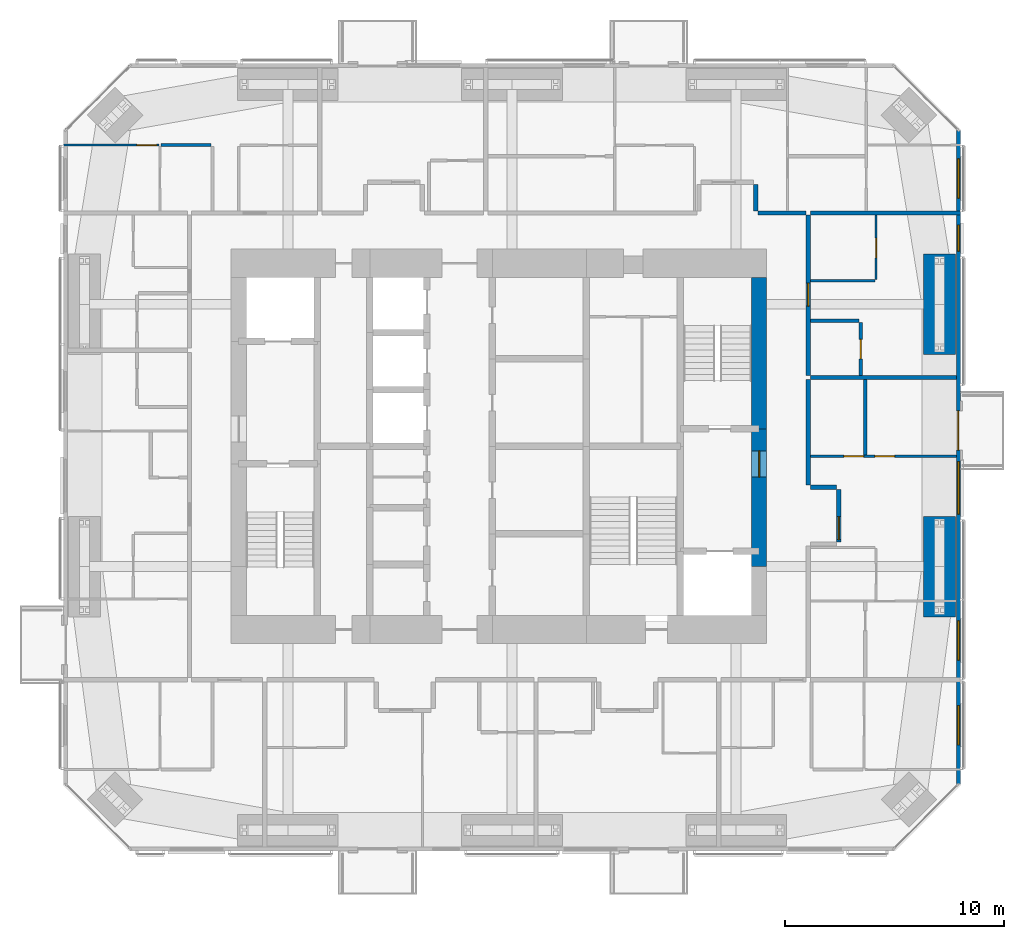
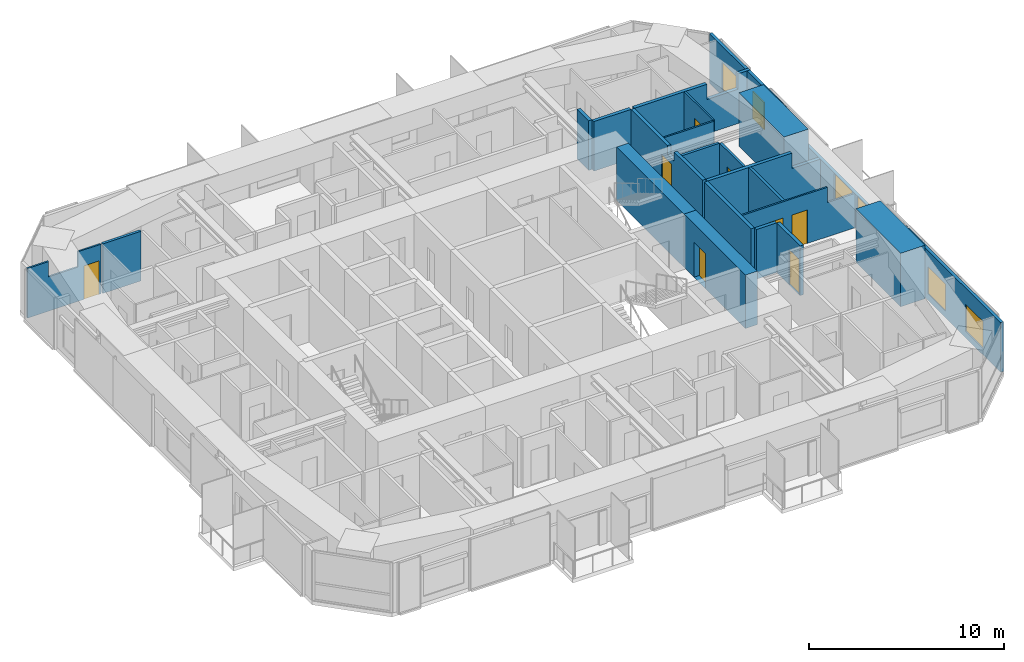
# One storey, part 20 of 23: 21 walls, 9 doors, 5 windows, 14 openings.
"""IFC4 building model written with IfcOpenShell, lengths in metres."""

from ifc_helpers import new_model, si_unit, direction, frame, frame_2d, origin, place, context, subcontext, project, spatial, polyline, rectangle, outline, extrude, material, layer, layer_set, constituent, constituent_set, type_object, element, fill, save


model = new_model("IFC4")

# Units and contexts
model_context = context("Model", 3, precision=1e-05, world=origin(), true_north=direction((0.0, 1.0)))
body_context = subcontext(model_context, "Body", "Model", "MODEL_VIEW")
ifc_project = project(units=[si_unit("LENGTHUNIT", "METRE"), si_unit("AREAUNIT", "SQUARE_METRE"), si_unit("VOLUMEUNIT", "CUBIC_METRE"), si_unit("PLANEANGLEUNIT", "RADIAN"), si_unit("MASSUNIT", "GRAM", prefix="KILO")], contexts=[model_context])

# Site, building, storey
site_placement = place(None, origin())
site = spatial("IfcSite", under=ifc_project, at=site_placement, CompositionType="ELEMENT")
building_placement = place(site_placement, origin())
building = spatial("IfcBuilding", under=site, at=building_placement, Name="Jalousie Tower", CompositionType="ELEMENT")
storey_placement = place(building_placement, frame((0.0, 0.0, 167.75)))
storey = spatial("IfcBuildingStorey", under=building, at=storey_placement, Name="L45", CompositionType="ELEMENT", Elevation=167.75)

# Walls
ifc_material_1 = material(Name="Concrete block ASTM C90", Category="concrete")
ifc_constituent_1 = constituent(ifc_material_1, Name="Body")
ifc_material_2 = material(Name="Render")
ifc_constituent_2 = constituent(ifc_material_2, Name="Finish")
ifc_constituent_set_1 = constituent_set(constituents=[ifc_constituent_1, ifc_constituent_2])
wall_type_1 = type_object("IfcWallType", Name="BATHROOM WALL 150", PredefinedType="PLUMBINGWALL", material=ifc_constituent_set_1)
wall_1_placement = place(storey_placement, frame((18.72509765625, 32.27880859375, 0.0), z_axis=(0.0, 0.0, 1.0), x_axis=(-1.0, 0.0, 0.0)))
element("IfcWall", 1, at=wall_1_placement, inside=storey, type_object=wall_type_1, Name="Bathroom Wall 150 L45", PredefinedType="PLUMBINGWALL", context=body_context, shape_type="SweptSolid", body=[
    extrude(rectangle(XDim=2.275146484375, YDim=0.14990234375, at=frame_2d((1.1376953125, 0.0))), origin(), (0.0, 0.0, 1.0), 3.110107421875),
])
wall_2_placement = place(storey_placement, frame((48.64990234375, 18.10009765625, 0.0), z_axis=(0.0, 0.0, 1.0), x_axis=(0.0, 1.0, 0.0)))
element("IfcWall", 2, at=wall_2_placement, inside=storey, type_object=wall_type_1, Name="Bathroom Wall 150 L45", PredefinedType="PLUMBINGWALL", context=body_context, shape_type="SweptSolid", body=[
    extrude(rectangle(XDim=3.449951171875, YDim=0.14990234375, at=frame_2d((1.72509765625, 0.0))), origin(), (0.0, 0.0, 1.0), 3.110107421875),
])

# Wall, opening, door
wall_3_placement = place(storey_placement, frame((48.449951171875, 21.75, 0.0), z_axis=(0.0, 0.0, 1.0), x_axis=(0.0, 1.0, 0.0)))
wall_3 = element("IfcWall", 3, at=wall_3_placement, inside=storey, type_object=wall_type_1, Name="Bathroom Wall 150 L45", PredefinedType="PLUMBINGWALL", context=body_context, shape_type="SweptSolid", body=[
    extrude(rectangle(XDim=2.425048828125, YDim=0.14990234375, at=frame_2d((1.21240234375, 0.0))), origin(), (0.0, 0.0, 1.0), 3.110107421875),
])
opening_1_placement = place(wall_3_placement, frame((0.75, 0.0, 0.0)))
opening_1 = element("IfcOpeningElement", 4, at=opening_1_placement, cuts=wall_3, Name="Opening D3", PredefinedType="OPENING", context=body_context, shape_type="SweptSolid", body=[
    extrude(rectangle(XDim=0.89990234375, YDim=2.10009765625, at=frame_2d((0.449951171875, 1.050048828125))), frame((0.0, 0.0849609375, 0.0), z_axis=(0.0, -1.0, 0.0), x_axis=(1.0, 0.0, 0.0)), (0.0, 0.0, 1.0), 0.169921875),
])
ifc_material_3 = material(Name="Timber door", Category="wood")
door_type_1 = type_object("IfcDoorType", Name="BATHROOM DOOR 900", OperationType="SINGLE_SWING_LEFT", PredefinedType="DOOR", material=ifc_material_3)
door_1_placement = place(opening_1_placement, origin())
door_1 = element("IfcDoor", 5, at=door_1_placement, inside=storey, type_object=door_type_1, Name="Apartment 4511 bathroom door", OperationType="SINGLE_SWING_LEFT", OverallHeight=2.10009765625, OverallWidth=0.89990234375, PredefinedType="DOOR", context=body_context, shape_type="SweptSolid", body=[
    extrude(rectangle(XDim=0.89990234375, YDim=2.10009765625, at=frame_2d((0.449951171875, 1.050048828125))), frame((0.0, 0.02490234375, 0.0), z_axis=(0.0, -1.0, 0.0), x_axis=(1.0, 0.0, 0.0)), (0.0, 0.0, 1.0), 0.050048828125),
])
fill(opening_1, door_1)

# Wall
wall_4_placement = place(storey_placement, frame((48.375, 24.25, 0.0), z_axis=(0.0, 0.0, 1.0), x_axis=(-1.0, 0.0, 0.0)))
element("IfcWall", 6, at=wall_4_placement, inside=storey, type_object=wall_type_1, Name="Bathroom Wall 150 L45", PredefinedType="PLUMBINGWALL", context=body_context, shape_type="SweptSolid", body=[
    extrude(rectangle(XDim=2.22509765625, YDim=0.14990234375, at=frame_2d((1.112548828125, 0.0))), origin(), (0.0, 0.0, 1.0), 3.110107421875),
])

# Wall, opening, door
ifc_material_4 = material(Name="Concrete f'c 120 MPa", Category="concrete")
ifc_layer_1 = layer(ifc_material_4, 0.699951171875)
ifc_layer_set_1 = layer_set([ifc_layer_1], Name="Concrete f'c 120 MPa")
wall_type_2 = type_object("IfcWallType", Name="CORE WALL 700", PredefinedType="SHEAR", material=ifc_layer_set_1)
wall_5_placement = place(storey_placement, frame((43.800048828125, 13.0, 0.0), z_axis=(0.0, 0.0, 1.0), x_axis=(0.0, 1.0, 0.0)))
wall_5 = element("IfcWall", 7, at=wall_5_placement, inside=storey, type_object=wall_type_2, Name="Core wall EB L45", PredefinedType="SHEAR", context=body_context, shape_type="SweptSolid", body=[
    extrude(rectangle(XDim=6.300048828125, YDim=0.699951171875, at=frame_2d((3.14990234375, 0.0))), origin(), (0.0, 0.0, 1.0), 3.35009765625),
])
opening_2_placement = place(wall_5_placement, frame((4.10009765625, 0.0, 0.0)))
opening_2 = element("IfcOpeningElement", 8, at=opening_2_placement, cuts=wall_5, Name="Opening D11", PredefinedType="OPENING", context=body_context, shape_type="SweptSolid", body=[
    extrude(rectangle(XDim=1.199951171875, YDim=2.199951171875, at=frame_2d((0.60009765625, 1.10009765625))), frame((0.0, 0.35986328125, 0.0), z_axis=(0.0, -1.0, 0.0), x_axis=(1.0, 0.0, 0.0)), (0.0, 0.0, 1.0), 0.719970703125),
])
ifc_material_5 = material(Name="Steel fire door", Category="steel")
door_type_2 = type_object("IfcDoorType", Name="FIRE DOOR 1200", OperationType="SINGLE_SWING_LEFT", PredefinedType="DOOR", material=ifc_material_5)
door_2_placement = place(opening_2_placement, origin())
door_2 = element("IfcDoor", 9, at=door_2_placement, inside=storey, type_object=door_type_2, Name="Fire-fighting lobby B door", OperationType="SINGLE_SWING_RIGHT", OverallHeight=2.199951171875, OverallWidth=1.199951171875, PredefinedType="DOOR", context=body_context, shape_type="SweptSolid", body=[
    extrude(rectangle(XDim=1.199951171875, YDim=2.199951171875, at=frame_2d((0.60009765625, 1.10009765625))), frame((0.0, 0.02490234375, 0.0), z_axis=(0.0, -1.0, 0.0), x_axis=(1.0, 0.0, 0.0)), (0.0, 0.0, 1.0), 0.050048828125),
])
fill(opening_2, door_2)

# Wall
wall_6_placement = place(storey_placement, frame((43.800048828125, 19.300048828125, 0.0), z_axis=(0.0, 0.0, 1.0), x_axis=(0.0, 1.0, 0.0)))
element("IfcWall", 10, at=wall_6_placement, inside=storey, type_object=wall_type_2, Name="Core wall EC L45", PredefinedType="SHEAR", context=body_context, shape_type="SweptSolid", body=[
    extrude(rectangle(XDim=6.925048828125, YDim=0.699951171875, at=frame_2d((3.46240234375, 0.0))), origin(), (0.0, 0.0, 1.0), 3.35009765625),
])

# Wall, opening, door
ifc_material_6 = material(Name="Concrete block ASTM C90", Category="concrete")
ifc_constituent_3 = constituent(ifc_material_6, Name="Body")
ifc_material_7 = material(Name="Render")
ifc_constituent_4 = constituent(ifc_material_7, Name="Finish")
ifc_constituent_set_2 = constituent_set(constituents=[ifc_constituent_3, ifc_constituent_4])
wall_type_3 = type_object("IfcWallType", Name="CORRIDOR WALL 200", PredefinedType="PARTITIONING", material=ifc_constituent_set_2)
wall_7_placement = place(storey_placement, frame((46.050048828125, 21.75, 0.0), z_axis=(0.0, 0.0, 1.0), x_axis=(0.0, 1.0, 0.0)))
wall_7 = element("IfcWall", 11, at=wall_7_placement, inside=storey, type_object=wall_type_3, Name="Corridor Wall 200 L45", PredefinedType="PARTITIONING", context=body_context, shape_type="SweptSolid", body=[
    extrude(outline(polyline([(0.0, 0.0), (7.324951171875, 0.0), (7.324951171875, 3.110107421875), (3.58740234375, 3.110107421875), (3.58740234375, 2.541015625), (2.91259765625, 2.541015625), (2.91259765625, 3.110107421875), (0.0, 3.110107421875), (0.0, 0.0)])), frame((0.0, 0.10009765625, 0.0), z_axis=(0.0, -1.0, 0.0), x_axis=(1.0, 0.0, 0.0)), (0.0, 0.0, 1.0), 0.199951171875),
])
opening_3_placement = place(wall_7_placement, frame((3.16259765625, 0.0, 0.0)))
opening_3 = element("IfcOpeningElement", 12, at=opening_3_placement, cuts=wall_7, Name="Opening D1", PredefinedType="OPENING", context=body_context, shape_type="SweptSolid", body=[
    extrude(rectangle(XDim=1.050048828125, YDim=2.199951171875, at=frame_2d((0.52490234375, 1.10009765625))), frame((0.0, 0.10986328125, 0.0), z_axis=(0.0, -1.0, 0.0), x_axis=(1.0, 0.0, 0.0)), (0.0, 0.0, 1.0), 0.219970703125),
])
ifc_material_8 = material(Name="Timber fire door", Category="wood")
door_type_3 = type_object("IfcDoorType", Name="APARTMENT ENTRANCE DOOR 1050", OperationType="SINGLE_SWING_LEFT", PredefinedType="DOOR", material=ifc_material_8)
door_3_placement = place(opening_3_placement, frame((1.050048828125, 0.0, 0.0), z_axis=(0.0, 0.0, 1.0), x_axis=(-1.0, 0.0, 0.0)))
door_3 = element("IfcDoor", 13, at=door_3_placement, inside=storey, type_object=door_type_3, Name="Apartment 4511 entrance", OperationType="SINGLE_SWING_LEFT", OverallHeight=2.199951171875, OverallWidth=1.050048828125, PredefinedType="DOOR", context=body_context, shape_type="SweptSolid", body=[
    extrude(rectangle(XDim=1.050048828125, YDim=2.199951171875, at=frame_2d((0.52490234375, 1.10009765625))), frame((0.0, 0.02490234375, 0.0), z_axis=(0.0, -1.0, 0.0), x_axis=(1.0, 0.0, 0.0)), (0.0, 0.0, 1.0), 0.050048828125),
])
fill(opening_3, door_3)

# Walls
wall_8_placement = place(storey_placement, frame((43.75, 29.175048828125, 0.0), z_axis=(0.0, 0.0, 1.0), x_axis=(1.0, 0.0, 0.0)))
element("IfcWall", 14, at=wall_8_placement, inside=storey, type_object=wall_type_3, Name="Corridor Wall 200 L45", PredefinedType="PARTITIONING", context=body_context, shape_type="SweptSolid", body=[
    extrude(rectangle(XDim=2.199951171875, YDim=0.199951171875, at=frame_2d((1.10009765625, 0.0))), origin(), (0.0, 0.0, 1.0), 3.110107421875),
])
wall_9_placement = place(storey_placement, frame((43.64990234375, 29.27490234375, 0.0), z_axis=(0.0, 0.0, 1.0), x_axis=(0.0, 1.0, 0.0)))
element("IfcWall", 15, at=wall_9_placement, inside=storey, type_object=wall_type_3, Name="Corridor Wall 200 L45", PredefinedType="PARTITIONING", context=body_context, shape_type="SweptSolid", body=[
    extrude(rectangle(XDim=1.2001953125, YDim=0.199951171875, at=frame_2d((0.60009765625, 0.0))), origin(), (0.0, 0.0, 1.0), 3.110107421875),
])
wall_10_placement = place(storey_placement, frame((46.050048828125, 16.737548828125, 0.0), z_axis=(0.0, 0.0, 1.0), x_axis=(0.0, 1.0, 0.0)))
element("IfcWall", 16, at=wall_10_placement, inside=storey, type_object=wall_type_3, Name="Corridor Wall 200 L45", PredefinedType="PARTITIONING", context=body_context, shape_type="SweptSolid", body=[
    extrude(rectangle(XDim=4.8125, YDim=0.199951171875, at=frame_2d((2.40625, 0.0))), origin(), (0.0, 0.0, 1.0), 3.110107421875),
])

# Wall, opening, door
wall_11_placement = place(storey_placement, frame((47.449951171875, 14.137451171875, 0.0), z_axis=(0.0, 0.0, 1.0), x_axis=(0.0, 1.0, 0.0)))
wall_11 = element("IfcWall", 17, at=wall_11_placement, inside=storey, type_object=wall_type_3, Name="Corridor Wall 200 L45", PredefinedType="PARTITIONING", context=body_context, shape_type="SweptSolid", body=[
    extrude(rectangle(XDim=2.400146484375, YDim=0.199951171875, at=frame_2d((1.2001953125, 0.0))), origin(), (0.0, 0.0, 1.0), 3.110107421875),
])
opening_4_placement = place(wall_11_placement, frame((0.10009765625, 0.0, 0.0)))
opening_4 = element("IfcOpeningElement", 18, at=opening_4_placement, cuts=wall_11, Name="Opening D1", PredefinedType="OPENING", context=body_context, shape_type="SweptSolid", body=[
    extrude(rectangle(XDim=1.050048828125, YDim=2.199951171875, at=frame_2d((0.52490234375, 1.10009765625))), frame((0.0, 0.10986328125, 0.0), z_axis=(0.0, -1.0, 0.0), x_axis=(1.0, 0.0, 0.0)), (0.0, 0.0, 1.0), 0.219970703125),
])
door_4_placement = place(opening_4_placement, frame((1.050048828125, 0.0, 0.0), z_axis=(0.0, 0.0, 1.0), x_axis=(-1.0, 0.0, 0.0)))
door_4 = element("IfcDoor", 19, at=door_4_placement, inside=storey, type_object=door_type_3, Name="Apartment 4510 entrance", OperationType="SINGLE_SWING_RIGHT", OverallHeight=2.199951171875, OverallWidth=1.050048828125, PredefinedType="DOOR", context=body_context, shape_type="SweptSolid", body=[
    extrude(rectangle(XDim=1.050048828125, YDim=2.199951171875, at=frame_2d((0.52490234375, 1.10009765625))), frame((0.0, 0.02490234375, 0.0), z_axis=(0.0, -1.0, 0.0), x_axis=(1.0, 0.0, 0.0)), (0.0, 0.0, 1.0), 0.050048828125),
])
fill(opening_4, door_4)

# Wall
wall_12_placement = place(storey_placement, frame((46.14990234375, 16.637451171875, 0.0), z_axis=(0.0, 0.0, 1.0), x_axis=(1.0, 0.0, 0.0)))
element("IfcWall", 20, at=wall_12_placement, inside=storey, type_object=wall_type_3, Name="Corridor Wall 200 L45", PredefinedType="PARTITIONING", context=body_context, shape_type="SweptSolid", body=[
    extrude(rectangle(XDim=1.2001953125, YDim=0.199951171875, at=frame_2d((0.60009765625, 0.0))), origin(), (0.0, 0.0, 1.0), 3.110107421875),
])

# Wall, openings, door, windows
ifc_material_9 = material(Name="Concrete f'c 40 MPa", Category="concrete")
ifc_constituent_5 = constituent(ifc_material_9, Name="Body")
ifc_material_10 = material(Name="Render, pastel lemon")
ifc_constituent_6 = constituent(ifc_material_10, Name="Finish")
ifc_constituent_set_3 = constituent_set(constituents=[ifc_constituent_5, ifc_constituent_6])
wall_type_4 = type_object("IfcWallType", Name="EXTERNAL WALL 175 LEMON RENDER", PredefinedType="SOLIDWALL", material=ifc_constituent_set_3)
wall_13_placement = place(storey_placement, frame((52.91259765625, 3.05126953125, 0.0), z_axis=(0.0, 0.0, 1.0), x_axis=(0.0, 1.0, 0.0)))
wall_13 = element("IfcWall", 21, at=wall_13_placement, inside=storey, type_object=wall_type_4, Name="External Wall 175 Lemon Render L45", PredefinedType="SOLIDWALL", context=body_context, shape_type="SweptSolid", body=[
    extrude(outline(polyline([(0.0, 0.0), (29.8974609375, 0.0), (29.8974609375, 3.110107421875), (22.16748046875, 3.110107421875), (22.16748046875, 2.14990234375), (22.073974609375, 2.14990234375), (22.073974609375, 3.110107421875), (21.94873046875, 3.110107421875), (21.94873046875, 2.14990234375), (9.94873046875, 2.14990234375), (9.94873046875, 3.110107421875), (9.846923828125, 3.110107421875), (9.846923828125, 2.14990234375), (9.7060546875, 2.14990234375), (9.7060546875, 3.110107421875), (0.0, 3.110107421875), (0.0, 0.0)])), frame((0.0, 0.08740234375, 0.0), z_axis=(0.0, -1.0, 0.0), x_axis=(1.0, 0.0, 0.0)), (0.0, 0.0, 1.0), 0.175048828125),
])
opening_5_placement = place(wall_13_placement, frame((1.796875, 0.0, 0.39990234375)))
opening_5 = element("IfcOpeningElement", 22, at=opening_5_placement, cuts=wall_13, Name="Opening W-BED170", PredefinedType="OPENING", context=body_context, shape_type="SweptSolid", body=[
    extrude(rectangle(XDim=1.800048828125, YDim=1.699951171875, at=frame_2d((0.89990234375, 0.85009765625))), frame((0.0, 0.097412109375, 0.0), z_axis=(0.0, -1.0, 0.0), x_axis=(1.0, 0.0, 0.0)), (0.0, 0.0, 1.0), 0.195068359375),
])
opening_6_placement = place(wall_13_placement, frame((5.673583984375, 0.0, 0.39990234375)))
opening_6 = element("IfcOpeningElement", 23, at=opening_6_placement, cuts=wall_13, Name="Opening W-BED170", PredefinedType="OPENING", context=body_context, shape_type="SweptSolid", body=[
    extrude(rectangle(XDim=1.800048828125, YDim=1.699951171875, at=frame_2d((0.89990234375, 0.85009765625))), frame((0.0, 0.097412109375, 0.0), z_axis=(0.0, -1.0, 0.0), x_axis=(1.0, 0.0, 0.0)), (0.0, 0.0, 1.0), 0.195068359375),
])
opening_7_placement = place(wall_13_placement, frame((12.3486328125, 0.0, 0.39990234375)))
opening_7 = element("IfcOpeningElement", 24, at=opening_7_placement, cuts=wall_13, Name="Opening W-LIV170", PredefinedType="OPENING", context=body_context, shape_type="SweptSolid", body=[
    extrude(rectangle(XDim=2.39990234375, YDim=1.699951171875, at=frame_2d((1.199951171875, 0.85009765625))), frame((0.0, 0.097412109375, 0.0), z_axis=(0.0, -1.0, 0.0), x_axis=(1.0, 0.0, 0.0)), (0.0, 0.0, 1.0), 0.195068359375),
])
opening_8_placement = place(wall_13_placement, frame((15.273681640625, 0.0, 0.0)))
opening_8 = element("IfcOpeningElement", 25, at=opening_8_placement, cuts=wall_13, Name="Opening D-BAL21", PredefinedType="OPENING", context=body_context, shape_type="SweptSolid", body=[
    extrude(rectangle(XDim=1.800048828125, YDim=2.10009765625, at=frame_2d((0.89990234375, 1.050048828125))), frame((0.0, 0.097412109375, 0.0), z_axis=(0.0, -1.0, 0.0), x_axis=(1.0, 0.0, 0.0)), (0.0, 0.0, 1.0), 0.195068359375),
])
opening_9_placement = place(wall_13_placement, frame((24.373291015625, 0.0, 0.39990234375)))
opening_9 = element("IfcOpeningElement", 26, at=opening_9_placement, cuts=wall_13, Name="Opening W-COR170", PredefinedType="OPENING", context=body_context, shape_type="SweptSolid", body=[
    extrude(rectangle(XDim=1.199951171875, YDim=1.699951171875, at=frame_2d((0.60009765625, 0.85009765625))), frame((0.0, 0.097412109375, 0.0), z_axis=(0.0, -1.0, 0.0), x_axis=(1.0, 0.0, 0.0)), (0.0, 0.0, 1.0), 0.195068359375),
])
opening_10_placement = place(wall_13_placement, frame((26.800537109375, 0.0, 0.39990234375)))
opening_10 = element("IfcOpeningElement", 27, at=opening_10_placement, cuts=wall_13, Name="Opening W-BED170", PredefinedType="OPENING", context=body_context, shape_type="SweptSolid", body=[
    extrude(rectangle(XDim=1.800048828125, YDim=1.699951171875, at=frame_2d((0.89990234375, 0.85009765625))), frame((0.0, 0.097412109375, 0.0), z_axis=(0.0, -1.0, 0.0), x_axis=(1.0, 0.0, 0.0)), (0.0, 0.0, 1.0), 0.195068359375),
])
ifc_material_11 = material(Name="Aluminium frame, impact-rated glazing", Category="aluminium")
door_type_4 = type_object("IfcDoorType", Name="BALCONY DOOR 1800x2100", OperationType="SLIDING_TO_LEFT", PredefinedType="DOOR", material=ifc_material_11)
door_5_placement = place(opening_8_placement, origin())
door_5 = element("IfcDoor", 28, at=door_5_placement, inside=storey, type_object=door_type_4, Name="Apartment 4510 bedroom 2 balcony door", OperationType="SLIDING_TO_LEFT", OverallHeight=2.10009765625, OverallWidth=1.800048828125, PredefinedType="DOOR", context=body_context, shape_type="SweptSolid", body=[
    extrude(rectangle(XDim=1.800048828125, YDim=2.10009765625, at=frame_2d((0.89990234375, 1.050048828125))), frame((0.0, 0.02490234375, 0.0), z_axis=(0.0, -1.0, 0.0), x_axis=(1.0, 0.0, 0.0)), (0.0, 0.0, 1.0), 0.050048828125),
])
fill(opening_8, door_5)
ifc_material_12 = material(Name="Aluminium frame, impact-rated glazing", Category="aluminium")
window_type_1 = type_object("IfcWindowType", Name="WINDOW BED 1800x1700", PartitioningType="SINGLE_PANEL", PredefinedType="WINDOW", material=ifc_material_12)
window_1_placement = place(opening_5_placement, origin())
window_1 = element("IfcWindow", 29, at=window_1_placement, inside=storey, type_object=window_type_1, Name="Apartment 4504 bedroom 1 window", OverallHeight=1.699951171875, OverallWidth=1.800048828125, PartitioningType="SINGLE_PANEL", PredefinedType="WINDOW", context=body_context, shape_type="SweptSolid", body=[
    extrude(rectangle(XDim=1.800048828125, YDim=1.699951171875, at=frame_2d((0.89990234375, 0.85009765625))), frame((0.0, 0.030029296875, 0.0), z_axis=(0.0, -1.0, 0.0), x_axis=(1.0, 0.0, 0.0)), (0.0, 0.0, 1.0), 0.06005859375),
])
fill(opening_5, window_1)
window_2_placement = place(opening_6_placement, origin())
window_2 = element("IfcWindow", 30, at=window_2_placement, inside=storey, type_object=window_type_1, Name="Apartment 4510 bedroom 1 window", OverallHeight=1.699951171875, OverallWidth=1.800048828125, PartitioningType="SINGLE_PANEL", PredefinedType="WINDOW", context=body_context, shape_type="SweptSolid", body=[
    extrude(rectangle(XDim=1.800048828125, YDim=1.699951171875, at=frame_2d((0.89990234375, 0.85009765625))), frame((0.0, 0.030029296875, 0.0), z_axis=(0.0, -1.0, 0.0), x_axis=(1.0, 0.0, 0.0)), (0.0, 0.0, 1.0), 0.06005859375),
])
fill(opening_6, window_2)
window_3_placement = place(opening_10_placement, origin())
window_3 = element("IfcWindow", 31, at=window_3_placement, inside=storey, type_object=window_type_1, Name="Apartment 4507 bedroom 3 window", OverallHeight=1.699951171875, OverallWidth=1.800048828125, PartitioningType="SINGLE_PANEL", PredefinedType="WINDOW", context=body_context, shape_type="SweptSolid", body=[
    extrude(rectangle(XDim=1.800048828125, YDim=1.699951171875, at=frame_2d((0.89990234375, 0.85009765625))), frame((0.0, 0.030029296875, 0.0), z_axis=(0.0, -1.0, 0.0), x_axis=(1.0, 0.0, 0.0)), (0.0, 0.0, 1.0), 0.06005859375),
])
fill(opening_10, window_3)
ifc_material_13 = material(Name="Aluminium frame, impact-rated glazing", Category="aluminium")
window_type_2 = type_object("IfcWindowType", Name="WINDOW COR 1200x1700", PartitioningType="SINGLE_PANEL", PredefinedType="WINDOW", material=ifc_material_13)
window_4_placement = place(opening_9_placement, origin())
window_4 = element("IfcWindow", 32, at=window_4_placement, inside=storey, type_object=window_type_2, Name="Apartment 4511 studio living and sleeping room window", OverallHeight=1.699951171875, OverallWidth=1.199951171875, PartitioningType="SINGLE_PANEL", PredefinedType="WINDOW", context=body_context, shape_type="SweptSolid", body=[
    extrude(rectangle(XDim=1.199951171875, YDim=1.699951171875, at=frame_2d((0.60009765625, 0.85009765625))), frame((0.0, 0.030029296875, 0.0), z_axis=(0.0, -1.0, 0.0), x_axis=(1.0, 0.0, 0.0)), (0.0, 0.0, 1.0), 0.06005859375),
])
fill(opening_9, window_4)
ifc_material_14 = material(Name="Aluminium frame, impact-rated glazing", Category="aluminium")
window_type_3 = type_object("IfcWindowType", Name="WINDOW LIV 2400x1700", PartitioningType="DOUBLE_PANEL_VERTICAL", PredefinedType="WINDOW", material=ifc_material_14)
window_5_placement = place(opening_7_placement, origin())
window_5 = element("IfcWindow", 33, at=window_5_placement, inside=storey, type_object=window_type_3, Name="Apartment 4510 living and dining room window", OverallHeight=1.699951171875, OverallWidth=2.39990234375, PartitioningType="SINGLE_PANEL", PredefinedType="WINDOW", context=body_context, shape_type="SweptSolid", body=[
    extrude(rectangle(XDim=2.39990234375, YDim=1.699951171875, at=frame_2d((1.199951171875, 0.85009765625))), frame((0.0, 0.030029296875, 0.0), z_axis=(0.0, -1.0, 0.0), x_axis=(1.0, 0.0, 0.0)), (0.0, 0.0, 1.0), 0.06005859375),
])
fill(opening_7, window_5)

# Wall, opening, door
ifc_material_15 = material(Name="Gypsum board", Category="gypsum")
ifc_constituent_7 = constituent(ifc_material_15, Name="Body")
ifc_material_16 = material(Name="Light-gauge steel studs ASTM A653 SS Grade 33", Category="steel")
ifc_constituent_8 = constituent(ifc_material_16, Name="Framing")
ifc_constituent_set_4 = constituent_set(constituents=[ifc_constituent_7, ifc_constituent_8])
wall_type_5 = type_object("IfcWallType", Name="PARTITION 100", PredefinedType="PARTITIONING", material=ifc_constituent_set_4)
wall_14_placement = place(storey_placement, frame((16.35009765625, 32.27880859375, 0.0), z_axis=(0.0, 0.0, 1.0), x_axis=(-1.0, 0.0, 0.0)))
wall_14 = element("IfcWall", 34, at=wall_14_placement, inside=storey, type_object=wall_type_5, Name="Partition 100 L45", PredefinedType="PARTITIONING", context=body_context, shape_type="SweptSolid", body=[
    extrude(outline(polyline([(0.0, 0.0), (4.35009765625, 0.0), (4.35009765625, 3.110107421875), (3.094482421875, 3.110107421875), (3.094482421875, 2.14990234375), (1.352294921875, 2.14990234375), (1.352294921875, 3.110107421875), (0.0, 3.110107421875), (0.0, 0.0)])), frame((0.0, 0.050048828125, 0.0), z_axis=(0.0, -1.0, 0.0), x_axis=(1.0, 0.0, 0.0)), (0.0, 0.0, 1.0), 0.10009765625),
])
opening_11_placement = place(wall_14_placement, frame((0.10009765625, 0.0, 0.0)))
opening_11 = element("IfcOpeningElement", 35, at=opening_11_placement, cuts=wall_14, Name="Opening D2", PredefinedType="OPENING", context=body_context, shape_type="SweptSolid", body=[
    extrude(rectangle(XDim=0.89990234375, YDim=2.10009765625, at=frame_2d((0.449951171875, 1.050048828125))), frame((0.0, 0.06005859375, 0.0), z_axis=(0.0, -1.0, 0.0), x_axis=(1.0, 0.0, 0.0)), (0.0, 0.0, 1.0), 0.1201171875),
])
ifc_material_17 = material(Name="Timber door", Category="wood")
door_type_5 = type_object("IfcDoorType", Name="BEDROOM DOOR 900", OperationType="SINGLE_SWING_LEFT", PredefinedType="DOOR", material=ifc_material_17)
door_6_placement = place(opening_11_placement, origin())
door_6 = element("IfcDoor", 36, at=door_6_placement, inside=storey, type_object=door_type_5, Name="Apartment 4505 bedroom 1 door", OperationType="SINGLE_SWING_LEFT", OverallHeight=2.10009765625, OverallWidth=0.89990234375, PredefinedType="DOOR", context=body_context, shape_type="SweptSolid", body=[
    extrude(rectangle(XDim=0.89990234375, YDim=2.10009765625, at=frame_2d((0.449951171875, 1.050048828125))), frame((0.0, 0.02490234375, 0.0), z_axis=(0.0, -1.0, 0.0), x_axis=(1.0, 0.0, 0.0)), (0.0, 0.0, 1.0), 0.050048828125),
])
fill(opening_11, door_6)

# Wall, openings, doors
wall_15_placement = place(storey_placement, frame((52.824951171875, 18.050048828125, 0.0), z_axis=(0.0, 0.0, 1.0), x_axis=(-1.0, 0.0, 0.0)))
wall_15 = element("IfcWall", 37, at=wall_15_placement, inside=storey, type_object=wall_type_5, Name="Partition 100 L45", PredefinedType="PARTITIONING", context=body_context, shape_type="SweptSolid", body=[
    extrude(outline(polyline([(0.0, 0.0), (6.675048828125, 0.0), (6.675048828125, 3.110107421875), (1.635009765625, 3.110107421875), (1.635009765625, 2.14990234375), (0.0, 2.14990234375), (0.0, 3.110107421875), (0.0, 0.0)])), frame((0.0, 0.050048828125, 0.0), z_axis=(0.0, -1.0, 0.0), x_axis=(1.0, 0.0, 0.0)), (0.0, 0.0, 1.0), 0.10009765625),
])
opening_12_placement = place(wall_15_placement, frame((2.824951171875, 0.0, 0.0)))
opening_12 = element("IfcOpeningElement", 38, at=opening_12_placement, cuts=wall_15, Name="Opening D2", PredefinedType="OPENING", context=body_context, shape_type="SweptSolid", body=[
    extrude(rectangle(XDim=0.89990234375, YDim=2.10009765625, at=frame_2d((0.449951171875, 1.050048828125))), frame((0.0, 0.06005859375, 0.0), z_axis=(0.0, -1.0, 0.0), x_axis=(1.0, 0.0, 0.0)), (0.0, 0.0, 1.0), 0.1201171875),
])
opening_13_placement = place(wall_15_placement, frame((4.25, 0.0, 0.0)))
opening_13 = element("IfcOpeningElement", 39, at=opening_13_placement, cuts=wall_15, Name="Opening D7", PredefinedType="OPENING", context=body_context, shape_type="SweptSolid", body=[
    extrude(rectangle(XDim=0.89990234375, YDim=2.10009765625, at=frame_2d((0.449951171875, 1.050048828125))), frame((0.0, 0.06005859375, 0.0), z_axis=(0.0, -1.0, 0.0), x_axis=(1.0, 0.0, 0.0)), (0.0, 0.0, 1.0), 0.1201171875),
])
door_7_placement = place(opening_12_placement, frame((0.89990234375, 0.0, 0.0), z_axis=(0.0, 0.0, 1.0), x_axis=(-1.0, 0.0, 0.0)))
door_7 = element("IfcDoor", 40, at=door_7_placement, inside=storey, type_object=door_type_5, Name="Apartment 4510 bedroom 2 door", OperationType="SINGLE_SWING_LEFT", OverallHeight=2.10009765625, OverallWidth=0.89990234375, PredefinedType="DOOR", context=body_context, shape_type="SweptSolid", body=[
    extrude(rectangle(XDim=0.89990234375, YDim=2.10009765625, at=frame_2d((0.449951171875, 1.050048828125))), frame((0.0, 0.02490234375, 0.0), z_axis=(0.0, -1.0, 0.0), x_axis=(1.0, 0.0, 0.0)), (0.0, 0.0, 1.0), 0.050048828125),
])
fill(opening_12, door_7)
ifc_material_18 = material(Name="Timber door", Category="wood")
door_type_6 = type_object("IfcDoorType", Name="INTERNAL DOOR 900", OperationType="SINGLE_SWING_LEFT", PredefinedType="DOOR", material=ifc_material_18)
door_8_placement = place(opening_13_placement, frame((0.89990234375, 0.0, 0.0), z_axis=(0.0, 0.0, 1.0), x_axis=(-1.0, 0.0, 0.0)))
door_8 = element("IfcDoor", 41, at=door_8_placement, inside=storey, type_object=door_type_6, Name="Apartment 4510 bathroom door", OperationType="SINGLE_SWING_RIGHT", OverallHeight=2.10009765625, OverallWidth=0.89990234375, PredefinedType="DOOR", context=body_context, shape_type="SweptSolid", body=[
    extrude(rectangle(XDim=0.89990234375, YDim=2.10009765625, at=frame_2d((0.449951171875, 1.050048828125))), frame((0.0, 0.02490234375, 0.0), z_axis=(0.0, -1.0, 0.0), x_axis=(1.0, 0.0, 0.0)), (0.0, 0.0, 1.0), 0.050048828125),
])
fill(opening_13, door_8)

# Wall, opening, door
wall_16_placement = place(storey_placement, frame((49.14990234375, 26.125, 0.0), z_axis=(0.0, 0.0, 1.0), x_axis=(0.0, 1.0, 0.0)))
wall_16 = element("IfcWall", 42, at=wall_16_placement, inside=storey, type_object=wall_type_5, Name="Partition 100 L45", PredefinedType="PARTITIONING", context=body_context, shape_type="SweptSolid", body=[
    extrude(rectangle(XDim=2.949951171875, YDim=0.10009765625, at=frame_2d((1.47509765625, 0.0))), origin(), (0.0, 0.0, 1.0), 3.110107421875),
])
opening_14_placement = place(wall_16_placement, frame((1.0, 0.0, 0.0)))
opening_14 = element("IfcOpeningElement", 43, at=opening_14_placement, cuts=wall_16, Name="Opening D7", PredefinedType="OPENING", context=body_context, shape_type="SweptSolid", body=[
    extrude(rectangle(XDim=0.89990234375, YDim=2.10009765625, at=frame_2d((0.449951171875, 1.050048828125))), frame((0.0, 0.06005859375, 0.0), z_axis=(0.0, -1.0, 0.0), x_axis=(1.0, 0.0, 0.0)), (0.0, 0.0, 1.0), 0.1201171875),
])
door_9_placement = place(opening_14_placement, origin())
door_9 = element("IfcDoor", 44, at=door_9_placement, inside=storey, type_object=door_type_6, Name="Apartment 4511 kitchen door", OperationType="SINGLE_SWING_LEFT", OverallHeight=2.10009765625, OverallWidth=0.89990234375, PredefinedType="DOOR", context=body_context, shape_type="SweptSolid", body=[
    extrude(rectangle(XDim=0.89990234375, YDim=2.10009765625, at=frame_2d((0.449951171875, 1.050048828125))), frame((0.0, 0.02490234375, 0.0), z_axis=(0.0, -1.0, 0.0), x_axis=(1.0, 0.0, 0.0)), (0.0, 0.0, 1.0), 0.050048828125),
])
fill(opening_14, door_9)

# Walls
wall_17_placement = place(storey_placement, frame((49.10009765625, 26.074951171875, 0.0), z_axis=(0.0, 0.0, 1.0), x_axis=(-1.0, 0.0, 0.0)))
element("IfcWall", 45, at=wall_17_placement, inside=storey, type_object=wall_type_5, Name="Partition 100 L45", PredefinedType="PARTITIONING", context=body_context, shape_type="SweptSolid", body=[
    extrude(rectangle(XDim=2.9501953125, YDim=0.10009765625, at=frame_2d((1.47509765625, 0.0))), origin(), (0.0, 0.0, 1.0), 3.110107421875),
])
ifc_material_19 = material(Name="Concrete block ASTM C90", Category="concrete")
ifc_constituent_9 = constituent(ifc_material_19, Name="Body")
ifc_material_20 = material(Name="Render")
ifc_constituent_10 = constituent(ifc_material_20, Name="Finish")
ifc_constituent_set_5 = constituent_set(constituents=[ifc_constituent_9, ifc_constituent_10])
wall_type_6 = type_object("IfcWallType", Name="PARTY WALL 200", PredefinedType="PARTITIONING", material=ifc_constituent_set_5)
wall_18_placement = place(storey_placement, frame((46.14990234375, 29.175048828125, 0.0), z_axis=(0.0, 0.0, 1.0), x_axis=(1.0, 0.0, 0.0)))
element("IfcWall", 46, at=wall_18_placement, inside=storey, type_object=wall_type_6, Name="Party Wall 200 L45", PredefinedType="PARTITIONING", context=body_context, shape_type="SweptSolid", body=[
    extrude(outline(polyline([(0.0, 0.0), (6.85009765625, 0.0), (6.85009765625, 3.110107421875), (6.14697265625, 3.110107421875), (6.14697265625, 2.14990234375), (4.30322265625, 2.14990234375), (4.30322265625, 3.110107421875), (0.0, 3.110107421875), (0.0, 0.0)])), frame((0.0, 0.10009765625, 0.0), z_axis=(0.0, -1.0, 0.0), x_axis=(1.0, 0.0, 0.0)), (0.0, 0.0, 1.0), 0.199951171875),
])
wall_19_placement = place(storey_placement, frame((52.824951171875, 21.64990234375, 0.0), z_axis=(0.0, 0.0, 1.0), x_axis=(-1.0, 0.0, 0.0)))
element("IfcWall", 47, at=wall_19_placement, inside=storey, type_object=wall_type_6, Name="Party Wall 200 L45", PredefinedType="PARTITIONING", context=body_context, shape_type="SweptSolid", body=[
    extrude(outline(polyline([(0.0, 0.0), (6.675048828125, 0.0), (6.675048828125, 3.110107421875), (1.68505859375, 3.110107421875), (1.68505859375, 2.14990234375), (0.0, 2.14990234375), (0.0, 3.110107421875), (0.0, 0.0)])), frame((0.0, 0.10009765625, 0.0), z_axis=(0.0, -1.0, 0.0), x_axis=(1.0, 0.0, 0.0)), (0.0, 0.0, 1.0), 0.199951171875),
])
ifc_material_21 = material(Name="Concrete f'c 120 MPa", Category="concrete")
ifc_layer_2 = layer(ifc_material_21, 1.449951171875)
ifc_layer_set_2 = layer_set([ifc_layer_2], Name="Concrete f'c 120 MPa")
wall_type_7 = type_object("IfcWallType", Name="RC WALL PIER 1450", PredefinedType="SHEAR", material=ifc_layer_set_2)
for number, where, z_axis, x_axis, name in (
    (48, (52.050048828125, 10.699951171875, 0.0), (0.0, 0.0, 1.0), (0.0, 1.0, 0.0), "Wall pier 06 L45"),
    (49, (52.050048828125, 22.699951171875, 0.0), (0.0, 0.0, 1.0), (0.0, 1.0, 0.0), "Wall pier 07 L45"),
):
    element("IfcWall", number, at=place(storey_placement, frame(where, z_axis=z_axis, x_axis=x_axis)), inside=storey, type_object=wall_type_7, Name=name, PredefinedType="SHEAR", context=body_context, shape_type="SweptSolid", body=[
        extrude(rectangle(XDim=4.60009765625, YDim=1.449951171875, at=frame_2d((2.300048828125, 0.0))), origin(), (0.0, 0.0, 1.0), 3.35009765625),
    ])

save(model, "model.ifc")
